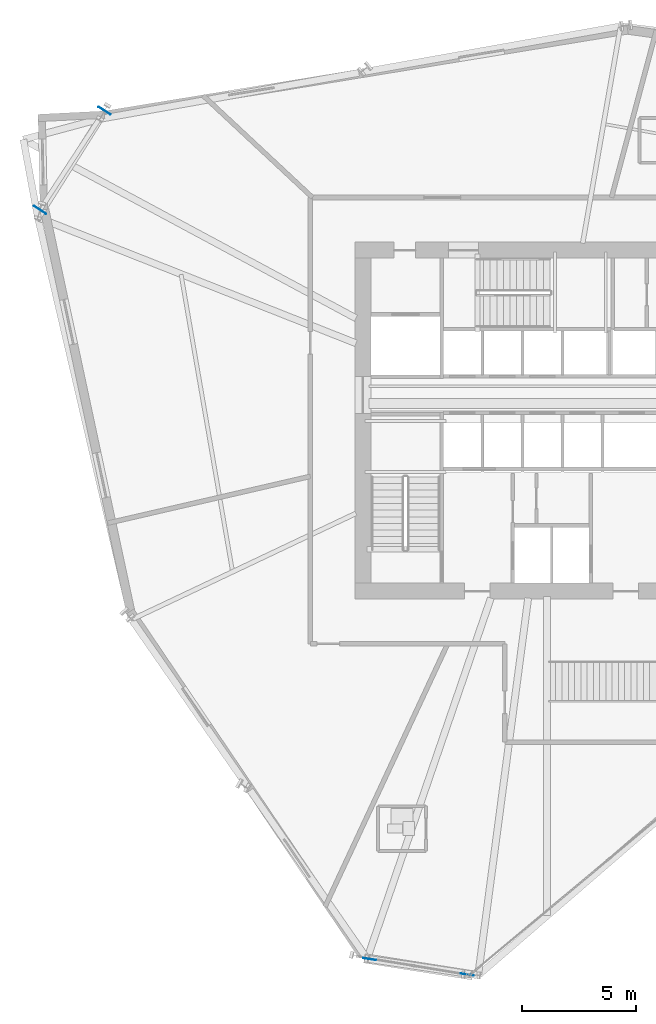
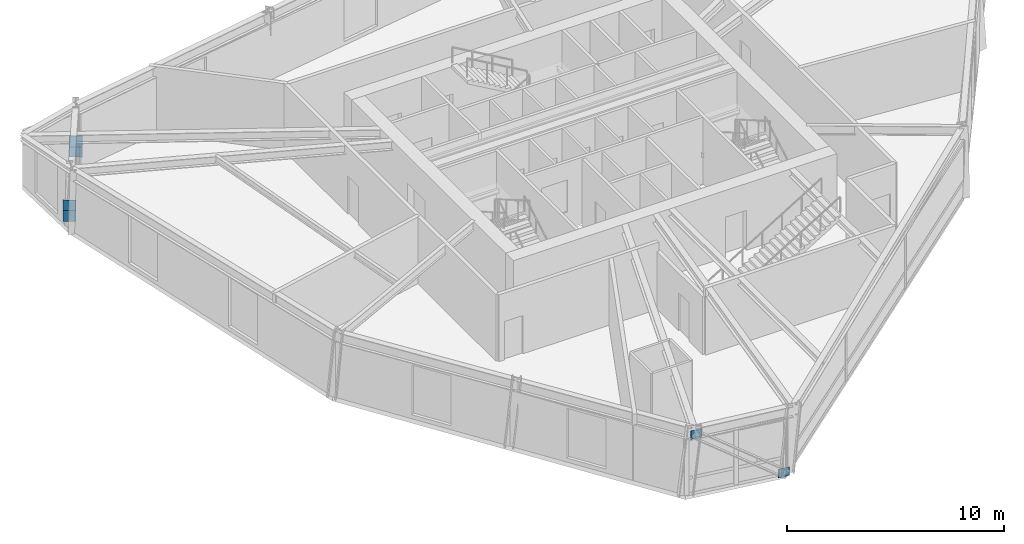
# One storey, part 9 of 16: 6 plates.
"""IFC4 building model written with IfcOpenShell, lengths in metres."""

from ifc_helpers import new_model, si_unit, direction, frame, origin, origin_2d, place, context, subcontext, project, spatial, rectangle, extrude, source, transform, mapped, material, type_object, element, save


model = new_model("IFC4")

# Units and contexts
model_context = context("Model", 3, precision=1e-05, world=origin(), true_north=direction((0.0, 1.0)))
body_context = subcontext(model_context, "Body", "Model", "MODEL_VIEW")
ifc_project = project(units=[si_unit("LENGTHUNIT", "METRE"), si_unit("AREAUNIT", "SQUARE_METRE"), si_unit("VOLUMEUNIT", "CUBIC_METRE"), si_unit("PLANEANGLEUNIT", "RADIAN"), si_unit("MASSUNIT", "GRAM", prefix="KILO")], contexts=[model_context])

# Site, building, storey
site_placement = place(None, origin())
site = spatial("IfcSite", under=ifc_project, at=site_placement, CompositionType="ELEMENT")
building_placement = place(site_placement, origin())
building = spatial("IfcBuilding", under=site, at=building_placement, Name="Olszyna Solenne Hotel", CompositionType="ELEMENT")
storey_placement = place(building_placement, frame((0.0, 0.0, 134.10009765625)))
storey = spatial("IfcBuildingStorey", under=building, at=storey_placement, Name="L35", CompositionType="ELEMENT", Elevation=134.10009765625)

# Plates
ifc_material_1 = material(Name="Steel S460M", Category="steel")
plate_type_1 = type_object("IfcPlateType", Name="GP-CAP2", PredefinedType="USERDEFINED", material=ifc_material_1)
shared_shape_1 = source(origin(), body_context, "Body", "SweptSolid", [
    extrude(rectangle(XDim=0.030029296875, YDim=0.6201171875, at=origin_2d()), origin(), (0.0, 0.0, 1.0), 0.6201171875),
])
for number, where, z_axis, x_axis, name in (
    (1, (18.462158203125, 40.14208984375, 1.039794921875), (0.0, 0.0, 1.0), (-0.546101961014, -0.83771871662, 0.0), "Hollow section end-cap plate GP-CAP2 CP-PR-M-L35-PR1-1"),
    (2, (15.63623046875, 35.806884765625, 1.039794921875), (0.0, 0.0, 1.0), (-0.546101961014, -0.83771871662, 0.0), "Hollow section end-cap plate GP-CAP2 CP-PR-M-L35-PR1-2"),
    (3, (18.462158203125, 40.14208984375, 0.4697265625), (0.0, 0.0, 1.0), (-0.546101961014, -0.83771871662, 0.0), "Hollow section end-cap plate GP-CAP2 CP-PR-M-L35-PR2-1"),
    (4, (15.63623046875, 35.806884765625, 0.4697265625), (0.0, 0.0, 1.0), (-0.546101961014, -0.83771871662, 0.0), "Hollow section end-cap plate GP-CAP2 CP-PR-M-L35-PR2-2"),
):
    element("IfcPlate", number, at=place(storey_placement, frame(where, z_axis=z_axis, x_axis=x_axis)), inside=storey, type_object=plate_type_1, Name=name, ObjectType="GUSSET_PLATE", PredefinedType="USERDEFINED", context=body_context, shape_type="MappedRepresentation", body=[
        mapped(shared_shape_1, transform((0.0, 0.0, 0.0), x_axis=(1.0, 0.0, 0.0), y_axis=(0.0, 1.0, 0.0), z_axis=(0.0, 0.0, 1.0), scale=1.0)),
    ])
ifc_material_2 = material(Name="Steel S355J2", Category="steel")
plate_type_2 = type_object("IfcPlateType", Name="GP-ND2", PredefinedType="USERDEFINED", material=ifc_material_2)
shared_shape_2 = source(origin(), body_context, "Body", "SweptSolid", [
    extrude(rectangle(XDim=0.56005859375, YDim=0.02001953125, at=origin_2d()), origin(), (0.0, 0.0, 1.0), 0.47998046875),
])
for number, where, z_axis, x_axis, name in (
    (5, (34.308837890625, 2.396484375, -0.14599609375), (0.0, 0.0, 1.0), (-0.987797311752, 0.155744890433, 0.0), "Brace end connection gusset plate GP-ND2 EP-BR-L35-3-1"),
    (6, (30.044921875, 3.069091796875, 3.095703125), (0.0, 0.0, 1.0), (-0.987797311752, 0.155744890433, 0.0), "Brace end connection gusset plate GP-ND2 EP-BR-L35-3-2"),
):
    element("IfcPlate", number, at=place(storey_placement, frame(where, z_axis=z_axis, x_axis=x_axis)), inside=storey, type_object=plate_type_2, Name=name, ObjectType="GUSSET_PLATE", PredefinedType="USERDEFINED", context=body_context, shape_type="MappedRepresentation", body=[
        mapped(shared_shape_2, transform((0.0, 0.0, 0.0), x_axis=(1.0, 0.0, 0.0), y_axis=(0.0, 1.0, 0.0), z_axis=(0.0, 0.0, 1.0), scale=1.0)),
    ])

save(model, "model.ifc")
